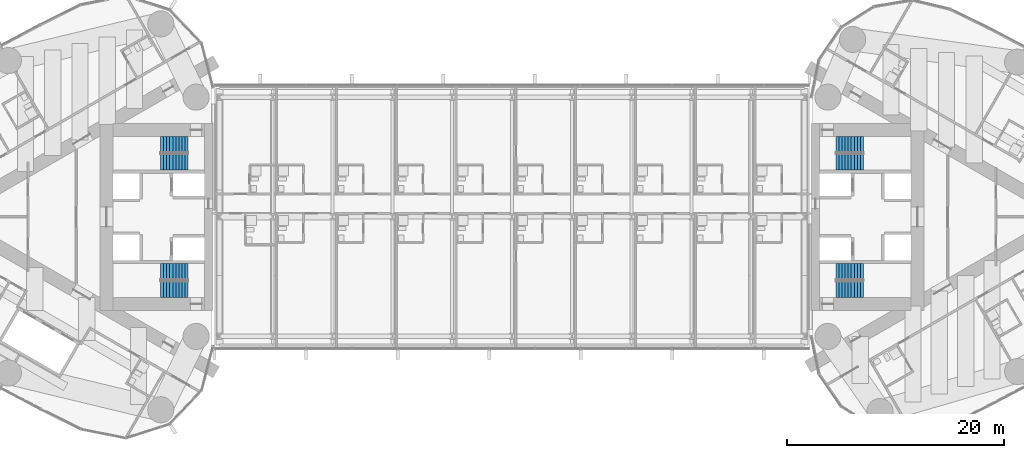
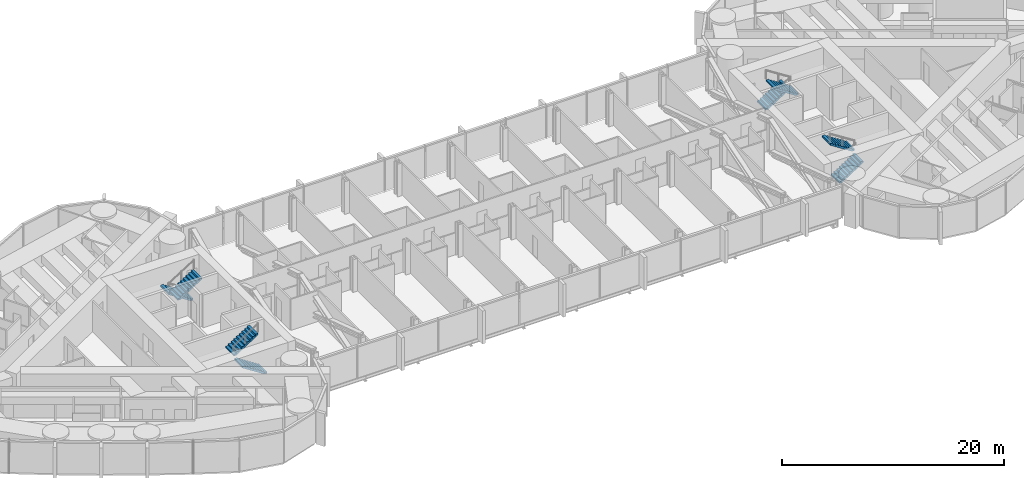
# One storey, part 21 of 23: 8 stair flights, 4 elements without a shape of their own.
"""IFC4 building model written with IfcOpenShell, lengths in metres."""

from ifc_helpers import new_model, si_unit, direction, frame, origin, place, context, subcontext, project, spatial, polyline, outline, extrude, material, type_object, element, aggregate, save


model = new_model("IFC4")

# Units and contexts
model_context = context("Model", 3, precision=1e-05, world=origin(), true_north=direction((0.0, 1.0)))
body_context = subcontext(model_context, "Body", "Model", "MODEL_VIEW")
ifc_project = project(units=[si_unit("LENGTHUNIT", "METRE"), si_unit("AREAUNIT", "SQUARE_METRE"), si_unit("VOLUMEUNIT", "CUBIC_METRE"), si_unit("PLANEANGLEUNIT", "RADIAN"), si_unit("MASSUNIT", "GRAM", prefix="KILO")], contexts=[model_context])

# Site, building, storey
site_placement = place(None, origin())
site = spatial("IfcSite", under=ifc_project, at=site_placement, CompositionType="ELEMENT")
building_placement = place(site_placement, origin())
building = spatial("IfcBuilding", under=site, at=building_placement, Name="Lancet Gate Hotel", CompositionType="ELEMENT")
storey_placement = place(building_placement, frame((0.0, 0.0, 218.89990234375)))
storey = spatial("IfcBuildingStorey", under=building, at=storey_placement, Name="L58", CompositionType="ELEMENT", Elevation=218.89990234375)

# Stair, stair flights
ifc_material_1 = material(Name="Exit stair 20 risers 1500")
stair_type = type_object("IfcStairType", Name="Exit stair 20 risers 1500", PredefinedType="HALF_TURN_STAIR", material=ifc_material_1)
stair_1_placement = place(storey_placement, origin())
stair_1 = element("IfcStair", 1, at=stair_1_placement, inside=storey, type_object=stair_type, Name="T1 stair 1 L58", PredefinedType="HALF_TURN_STAIR")
ifc_material_2 = material(Name="Stair flight 10 risers 180 rise 1500")
stair_flight_type = type_object("IfcStairFlightType", Name="Stair flight 10 risers 180 rise 1500", PredefinedType="STRAIGHT", material=ifc_material_2)
stair_flight_1_placement = place(storey_placement, frame((-29.800048828125, 6.64990234375, 0.0), z_axis=(0.0, 0.0, 1.0), x_axis=(-1.0, 0.0, 0.0)))
stair_flight_1 = element("IfcStairFlight", 2, at=stair_flight_1_placement, type_object=stair_flight_type, Name="ST1 flight 1", NumberOfRisers=10, NumberOfTreads=9, PredefinedType="STRAIGHT", RiserHeight=0.18, TreadLength=0.28, context=body_context, shape_type="SweptSolid", body=[
    extrude(outline(polyline([(0.0, 0.0), (0.0, 0.179931640625), (0.280029296875, 0.179931640625), (0.280029296875, 0.360107421875), (0.56005859375, 0.360107421875), (0.56005859375, 0.5400390625), (0.840087890625, 0.5400390625), (0.840087890625, 0.719970703125), (1.1201171875, 0.719970703125), (1.1201171875, 0.89990234375), (1.39990234375, 0.89990234375), (1.39990234375, 1.080078125), (1.679931640625, 1.080078125), (1.679931640625, 1.260009765625), (1.9599609375, 1.260009765625), (1.9599609375, 1.43994140625), (2.239990234375, 1.43994140625), (2.239990234375, 1.6201171875), (2.52001953125, 1.6201171875), (2.52001953125, 1.800048828125), (2.52001953125, 1.44189453125), (0.277099609375, 0.0), (0.0, 0.0)])), frame((0.0, 0.75, 0.0), z_axis=(0.0, -1.0, 0.0), x_axis=(1.0, 0.0, 0.0)), (0.0, 0.0, 1.0), 1.5),
])
stair_flight_2_placement = place(storey_placement, frame((-32.320068359375, 5.050048828125, 1.800048828125), z_axis=(0.0, 0.0, 1.0), x_axis=(1.0, 0.0, 0.0)))
stair_flight_2 = element("IfcStairFlight", 3, at=stair_flight_2_placement, type_object=stair_flight_type, Name="ST1 flight 2", NumberOfRisers=10, NumberOfTreads=9, PredefinedType="STRAIGHT", RiserHeight=0.18, TreadLength=0.28, context=body_context, shape_type="SweptSolid", body=[
    extrude(outline(polyline([(0.0, 0.0), (0.0, 0.179931640625), (0.280029296875, 0.179931640625), (0.280029296875, 0.360107421875), (0.56005859375, 0.360107421875), (0.56005859375, 0.5400390625), (0.840087890625, 0.5400390625), (0.840087890625, 0.719970703125), (1.1201171875, 0.719970703125), (1.1201171875, 0.89990234375), (1.39990234375, 0.89990234375), (1.39990234375, 1.080078125), (1.679931640625, 1.080078125), (1.679931640625, 1.260009765625), (1.9599609375, 1.260009765625), (1.9599609375, 1.43994140625), (2.239990234375, 1.43994140625), (2.239990234375, 1.6201171875), (2.52001953125, 1.6201171875), (2.52001953125, 1.800048828125), (2.52001953125, 1.44189453125), (0.277099609375, 0.0), (0.0, 0.0)])), frame((0.0, 0.75, 0.0), z_axis=(0.0, -1.0, 0.0), x_axis=(1.0, 0.0, 0.0)), (0.0, 0.0, 1.0), 1.5),
])
aggregate(stair_1, [stair_flight_1, stair_flight_2])

stair_2_placement = place(storey_placement, origin())
stair_2 = element("IfcStair", 4, at=stair_2_placement, inside=storey, type_object=stair_type, Name="T1 stair 2 L58", PredefinedType="HALF_TURN_STAIR")
stair_flight_3_placement = place(storey_placement, frame((-29.800048828125, -6.64990234375, 0.0), z_axis=(0.0, 0.0, 1.0), x_axis=(-1.0, 0.0, 0.0)))
stair_flight_3 = element("IfcStairFlight", 5, at=stair_flight_3_placement, type_object=stair_flight_type, Name="ST2 flight 1", NumberOfRisers=10, NumberOfTreads=9, PredefinedType="STRAIGHT", RiserHeight=0.18, TreadLength=0.28, context=body_context, shape_type="SweptSolid", body=[
    extrude(outline(polyline([(0.0, 0.0), (0.0, 0.179931640625), (0.280029296875, 0.179931640625), (0.280029296875, 0.360107421875), (0.56005859375, 0.360107421875), (0.56005859375, 0.5400390625), (0.840087890625, 0.5400390625), (0.840087890625, 0.719970703125), (1.1201171875, 0.719970703125), (1.1201171875, 0.89990234375), (1.39990234375, 0.89990234375), (1.39990234375, 1.080078125), (1.679931640625, 1.080078125), (1.679931640625, 1.260009765625), (1.9599609375, 1.260009765625), (1.9599609375, 1.43994140625), (2.239990234375, 1.43994140625), (2.239990234375, 1.6201171875), (2.52001953125, 1.6201171875), (2.52001953125, 1.800048828125), (2.52001953125, 1.44189453125), (0.277099609375, 0.0), (0.0, 0.0)])), frame((0.0, 0.75, 0.0), z_axis=(0.0, -1.0, 0.0), x_axis=(1.0, 0.0, 0.0)), (0.0, 0.0, 1.0), 1.5),
])
stair_flight_4_placement = place(storey_placement, frame((-32.320068359375, -5.050048828125, 1.800048828125), z_axis=(0.0, 0.0, 1.0), x_axis=(1.0, 0.0, 0.0)))
stair_flight_4 = element("IfcStairFlight", 6, at=stair_flight_4_placement, type_object=stair_flight_type, Name="ST2 flight 2", NumberOfRisers=10, NumberOfTreads=9, PredefinedType="STRAIGHT", RiserHeight=0.18, TreadLength=0.28, context=body_context, shape_type="SweptSolid", body=[
    extrude(outline(polyline([(0.0, 0.0), (0.0, 0.179931640625), (0.280029296875, 0.179931640625), (0.280029296875, 0.360107421875), (0.56005859375, 0.360107421875), (0.56005859375, 0.5400390625), (0.840087890625, 0.5400390625), (0.840087890625, 0.719970703125), (1.1201171875, 0.719970703125), (1.1201171875, 0.89990234375), (1.39990234375, 0.89990234375), (1.39990234375, 1.080078125), (1.679931640625, 1.080078125), (1.679931640625, 1.260009765625), (1.9599609375, 1.260009765625), (1.9599609375, 1.43994140625), (2.239990234375, 1.43994140625), (2.239990234375, 1.6201171875), (2.52001953125, 1.6201171875), (2.52001953125, 1.800048828125), (2.52001953125, 1.44189453125), (0.277099609375, 0.0), (0.0, 0.0)])), frame((0.0, 0.75, 0.0), z_axis=(0.0, -1.0, 0.0), x_axis=(1.0, 0.0, 0.0)), (0.0, 0.0, 1.0), 1.5),
])
aggregate(stair_2, [stair_flight_3, stair_flight_4])

stair_3_placement = place(storey_placement, origin())
stair_3 = element("IfcStair", 7, at=stair_3_placement, inside=storey, type_object=stair_type, Name="T2 stair 1 L58", PredefinedType="HALF_TURN_STAIR")
stair_flight_5_placement = place(storey_placement, frame((29.800048828125, -6.64990234375, 0.0), z_axis=(0.0, 0.0, 1.0), x_axis=(1.0, 0.0, 0.0)))
stair_flight_5 = element("IfcStairFlight", 8, at=stair_flight_5_placement, type_object=stair_flight_type, Name="ST3 flight 1", NumberOfRisers=10, NumberOfTreads=9, PredefinedType="STRAIGHT", RiserHeight=0.18, TreadLength=0.28, context=body_context, shape_type="SweptSolid", body=[
    extrude(outline(polyline([(0.0, 0.0), (0.0, 0.179931640625), (0.280029296875, 0.179931640625), (0.280029296875, 0.360107421875), (0.56005859375, 0.360107421875), (0.56005859375, 0.5400390625), (0.840087890625, 0.5400390625), (0.840087890625, 0.719970703125), (1.1201171875, 0.719970703125), (1.1201171875, 0.89990234375), (1.39990234375, 0.89990234375), (1.39990234375, 1.080078125), (1.679931640625, 1.080078125), (1.679931640625, 1.260009765625), (1.9599609375, 1.260009765625), (1.9599609375, 1.43994140625), (2.239990234375, 1.43994140625), (2.239990234375, 1.6201171875), (2.52001953125, 1.6201171875), (2.52001953125, 1.800048828125), (2.52001953125, 1.44189453125), (0.277099609375, 0.0), (0.0, 0.0)])), frame((0.0, 0.75, 0.0), z_axis=(0.0, -1.0, 0.0), x_axis=(1.0, 0.0, 0.0)), (0.0, 0.0, 1.0), 1.5),
])
stair_flight_6_placement = place(storey_placement, frame((32.320068359375, -5.050048828125, 1.800048828125), z_axis=(0.0, 0.0, 1.0), x_axis=(-1.0, 0.0, 0.0)))
stair_flight_6 = element("IfcStairFlight", 9, at=stair_flight_6_placement, type_object=stair_flight_type, Name="ST3 flight 2", NumberOfRisers=10, NumberOfTreads=9, PredefinedType="STRAIGHT", RiserHeight=0.18, TreadLength=0.28, context=body_context, shape_type="SweptSolid", body=[
    extrude(outline(polyline([(0.0, 0.0), (0.0, 0.179931640625), (0.280029296875, 0.179931640625), (0.280029296875, 0.360107421875), (0.56005859375, 0.360107421875), (0.56005859375, 0.5400390625), (0.840087890625, 0.5400390625), (0.840087890625, 0.719970703125), (1.1201171875, 0.719970703125), (1.1201171875, 0.89990234375), (1.39990234375, 0.89990234375), (1.39990234375, 1.080078125), (1.679931640625, 1.080078125), (1.679931640625, 1.260009765625), (1.9599609375, 1.260009765625), (1.9599609375, 1.43994140625), (2.239990234375, 1.43994140625), (2.239990234375, 1.6201171875), (2.52001953125, 1.6201171875), (2.52001953125, 1.800048828125), (2.52001953125, 1.44189453125), (0.277099609375, 0.0), (0.0, 0.0)])), frame((0.0, 0.75, 0.0), z_axis=(0.0, -1.0, 0.0), x_axis=(1.0, 0.0, 0.0)), (0.0, 0.0, 1.0), 1.5),
])
aggregate(stair_3, [stair_flight_5, stair_flight_6])

stair_4_placement = place(storey_placement, origin())
stair_4 = element("IfcStair", 10, at=stair_4_placement, inside=storey, type_object=stair_type, Name="T2 stair 2 L58", PredefinedType="HALF_TURN_STAIR")
stair_flight_7_placement = place(storey_placement, frame((29.800048828125, 6.64990234375, 0.0), z_axis=(0.0, 0.0, 1.0), x_axis=(1.0, 0.0, 0.0)))
stair_flight_7 = element("IfcStairFlight", 11, at=stair_flight_7_placement, type_object=stair_flight_type, Name="ST4 flight 1", NumberOfRisers=10, NumberOfTreads=9, PredefinedType="STRAIGHT", RiserHeight=0.18, TreadLength=0.28, context=body_context, shape_type="SweptSolid", body=[
    extrude(outline(polyline([(0.0, 0.0), (0.0, 0.179931640625), (0.280029296875, 0.179931640625), (0.280029296875, 0.360107421875), (0.56005859375, 0.360107421875), (0.56005859375, 0.5400390625), (0.840087890625, 0.5400390625), (0.840087890625, 0.719970703125), (1.1201171875, 0.719970703125), (1.1201171875, 0.89990234375), (1.39990234375, 0.89990234375), (1.39990234375, 1.080078125), (1.679931640625, 1.080078125), (1.679931640625, 1.260009765625), (1.9599609375, 1.260009765625), (1.9599609375, 1.43994140625), (2.239990234375, 1.43994140625), (2.239990234375, 1.6201171875), (2.52001953125, 1.6201171875), (2.52001953125, 1.800048828125), (2.52001953125, 1.44189453125), (0.277099609375, 0.0), (0.0, 0.0)])), frame((0.0, 0.75, 0.0), z_axis=(0.0, -1.0, 0.0), x_axis=(1.0, 0.0, 0.0)), (0.0, 0.0, 1.0), 1.5),
])
stair_flight_8_placement = place(storey_placement, frame((32.320068359375, 5.050048828125, 1.800048828125), z_axis=(0.0, 0.0, 1.0), x_axis=(-1.0, 0.0, 0.0)))
stair_flight_8 = element("IfcStairFlight", 12, at=stair_flight_8_placement, type_object=stair_flight_type, Name="ST4 flight 2", NumberOfRisers=10, NumberOfTreads=9, PredefinedType="STRAIGHT", RiserHeight=0.18, TreadLength=0.28, context=body_context, shape_type="SweptSolid", body=[
    extrude(outline(polyline([(0.0, 0.0), (0.0, 0.179931640625), (0.280029296875, 0.179931640625), (0.280029296875, 0.360107421875), (0.56005859375, 0.360107421875), (0.56005859375, 0.5400390625), (0.840087890625, 0.5400390625), (0.840087890625, 0.719970703125), (1.1201171875, 0.719970703125), (1.1201171875, 0.89990234375), (1.39990234375, 0.89990234375), (1.39990234375, 1.080078125), (1.679931640625, 1.080078125), (1.679931640625, 1.260009765625), (1.9599609375, 1.260009765625), (1.9599609375, 1.43994140625), (2.239990234375, 1.43994140625), (2.239990234375, 1.6201171875), (2.52001953125, 1.6201171875), (2.52001953125, 1.800048828125), (2.52001953125, 1.44189453125), (0.277099609375, 0.0), (0.0, 0.0)])), frame((0.0, 0.75, 0.0), z_axis=(0.0, -1.0, 0.0), x_axis=(1.0, 0.0, 0.0)), (0.0, 0.0, 1.0), 1.5),
])
aggregate(stair_4, [stair_flight_7, stair_flight_8])

save(model, "model.ifc")
